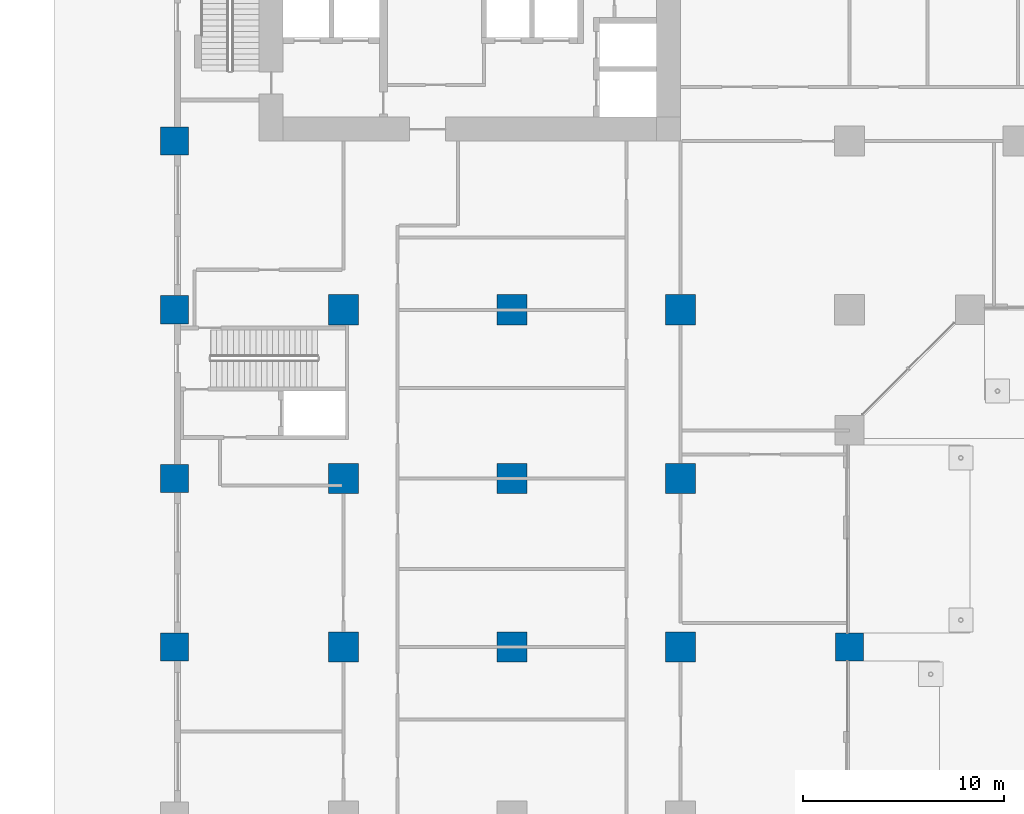
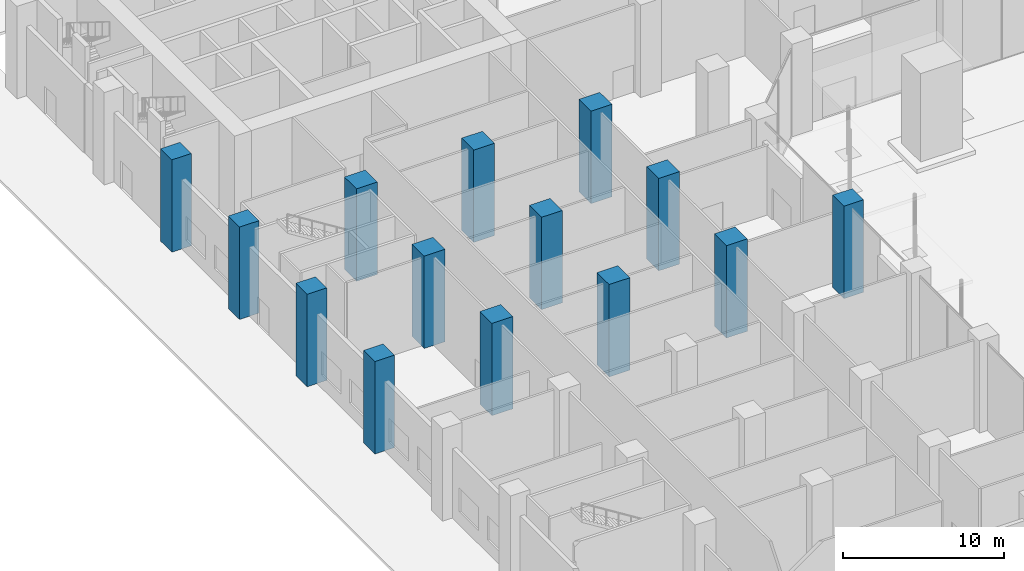
# One storey, part 5 of 32: 14 columns.
"""IFC4 building model written with IfcOpenShell, lengths in metres."""

from ifc_helpers import new_model, si_unit, direction, frame, origin, origin_2d, place, context, subcontext, project, spatial, rectangle, extrude, material, material_profile, profile_set, type_object, element, save


model = new_model("IFC4")

# Units and contexts
model_context = context("Model", 3, precision=1e-05, world=origin(), true_north=direction((0.0, 1.0)))
body_context = subcontext(model_context, "Body", "Model", "MODEL_VIEW")
ifc_project = project(units=[si_unit("LENGTHUNIT", "METRE"), si_unit("AREAUNIT", "SQUARE_METRE"), si_unit("VOLUMEUNIT", "CUBIC_METRE"), si_unit("PLANEANGLEUNIT", "RADIAN"), si_unit("MASSUNIT", "GRAM", prefix="KILO")], contexts=[model_context])

# Site, building, storey
site_placement = place(None, origin())
site = spatial("IfcSite", under=ifc_project, at=site_placement, CompositionType="ELEMENT")
building_placement = place(site_placement, origin())
building = spatial("IfcBuilding", under=site, at=building_placement, Name="Kawkab Arch Medical Tower", CompositionType="ELEMENT")
storey_placement = place(building_placement, origin())
storey = spatial("IfcBuildingStorey", under=building, at=storey_placement, Name="L01", CompositionType="ELEMENT", Elevation=0.0)

# Columns
ifc_material_1 = material(Name="Concrete C60/75", Category="concrete")
ifc_material_profile_1 = material_profile(ifc_material_1, rectangle(XDim=1.39990234375, YDim=1.39990234375, at=origin_2d()), Name="RC 1400x1400")
ifc_profile_set_1 = profile_set([ifc_material_profile_1], Name="Concrete C60/75")
column_type_1 = type_object("IfcColumnType", Name="RC 1400x1400 column C60/75", PredefinedType="COLUMN", material=ifc_profile_set_1)
for number, where, z_axis, x_axis, name in (
    (1, (0.0, -25.199951171875, 0.0), (0.0, 0.0, 1.0), (1.0, 0.0, 0.0), "Column RC 1400x1400"),
    (2, (0.0, -33.60009765625, 0.0), (0.0, 0.0, 1.0), (1.0, 0.0, 0.0), "Column RC 1400x1400"),
    (3, (0.0, -42.0, 0.0), (0.0, 0.0, 1.0), (1.0, 0.0, 0.0), "Column RC 1400x1400"),
    (4, (0.0, -50.39990234375, 0.0), (0.0, 0.0, 1.0), (1.0, 0.0, 0.0), "Column RC 1400x1400"),
    (5, (33.60009765625, -50.39990234375, 0.0), (0.0, 0.0, 1.0), (1.0, 0.0, 0.0), "Column RC 1400x1400"),
):
    element("IfcColumn", number, at=place(storey_placement, frame(where, z_axis=z_axis, x_axis=x_axis)), inside=storey, type_object=column_type_1, Name=name, PredefinedType="COLUMN", context=body_context, shape_type="SweptSolid", body=[
        extrude(rectangle(XDim=1.39990234375, YDim=1.39990234375, at=origin_2d()), origin(), (0.0, 0.0, 1.0), 7.0),
    ])
ifc_material_2 = material(Name="Concrete C60/75", Category="concrete")
ifc_material_profile_2 = material_profile(ifc_material_2, rectangle(XDim=1.5, YDim=1.5, at=origin_2d()), Name="RC 1500x1500")
ifc_profile_set_2 = profile_set([ifc_material_profile_2], Name="Concrete C60/75")
column_type_2 = type_object("IfcColumnType", Name="RC 1500x1500 column C60/75", PredefinedType="COLUMN", material=ifc_profile_set_2)
for number, where, z_axis, x_axis, name in (
    (6, (8.39990234375, -33.60009765625, 0.0), (0.0, 0.0, 1.0), (1.0, 0.0, 0.0), "Column RC 1500x1500"),
    (7, (16.800048828125, -33.60009765625, 0.0), (0.0, 0.0, 1.0), (1.0, 0.0, 0.0), "Column RC 1500x1500"),
    (8, (25.199951171875, -33.60009765625, 0.0), (0.0, 0.0, 1.0), (1.0, 0.0, 0.0), "Column RC 1500x1500"),
    (9, (8.39990234375, -42.0, 0.0), (0.0, 0.0, 1.0), (1.0, 0.0, 0.0), "Column RC 1500x1500"),
    (10, (16.800048828125, -42.0, 0.0), (0.0, 0.0, 1.0), (1.0, 0.0, 0.0), "Column RC 1500x1500"),
    (11, (25.199951171875, -42.0, 0.0), (0.0, 0.0, 1.0), (1.0, 0.0, 0.0), "Column RC 1500x1500"),
    (12, (8.39990234375, -50.39990234375, 0.0), (0.0, 0.0, 1.0), (1.0, 0.0, 0.0), "Column RC 1500x1500"),
    (13, (16.800048828125, -50.39990234375, 0.0), (0.0, 0.0, 1.0), (1.0, 0.0, 0.0), "Column RC 1500x1500"),
    (14, (25.199951171875, -50.39990234375, 0.0), (0.0, 0.0, 1.0), (1.0, 0.0, 0.0), "Column RC 1500x1500"),
):
    element("IfcColumn", number, at=place(storey_placement, frame(where, z_axis=z_axis, x_axis=x_axis)), inside=storey, type_object=column_type_2, Name=name, PredefinedType="COLUMN", context=body_context, shape_type="SweptSolid", body=[
        extrude(rectangle(XDim=1.5, YDim=1.5, at=origin_2d()), origin(), (0.0, 0.0, 1.0), 7.0),
    ])

save(model, "model.ifc")
